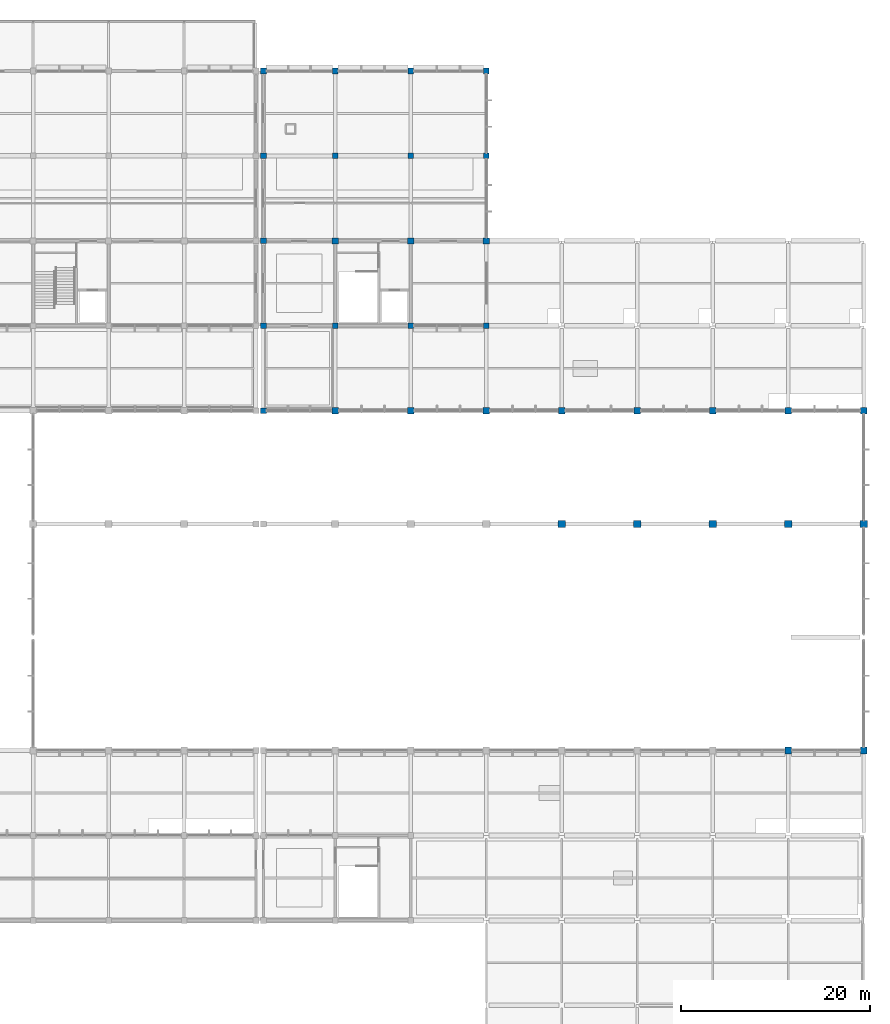
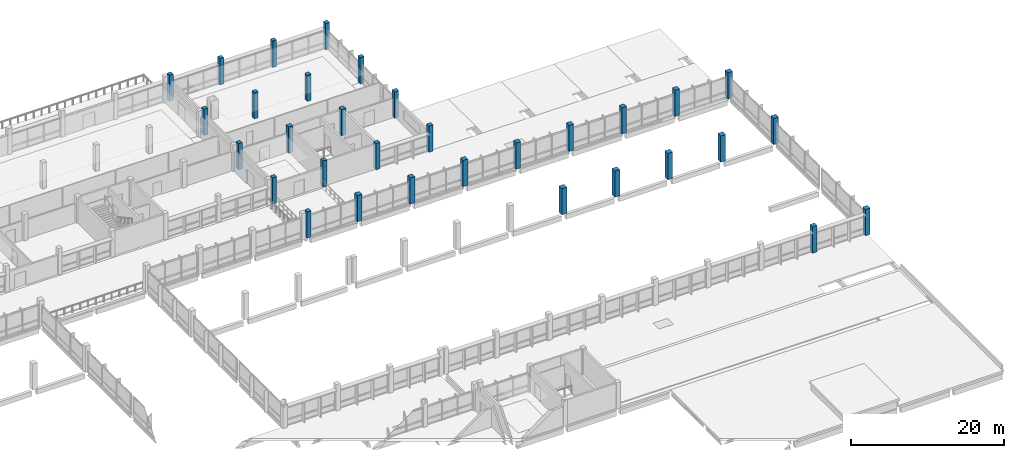
# One storey, part 2 of 70: 32 columns.
"""IFC4 building model written with IfcOpenShell, lengths in metres."""

from ifc_helpers import new_model, si_unit, direction, frame, origin, origin_2d, place, context, subcontext, project, spatial, rectangle, extrude, material, material_profile, profile_set, type_object, element, save


model = new_model("IFC4")

# Units and contexts
model_context = context("Model", 3, precision=1e-05, world=origin(), true_north=direction((0.0, 1.0)))
body_context = subcontext(model_context, "Body", "Model", "MODEL_VIEW")
ifc_project = project(units=[si_unit("LENGTHUNIT", "METRE"), si_unit("AREAUNIT", "SQUARE_METRE"), si_unit("VOLUMEUNIT", "CUBIC_METRE"), si_unit("PLANEANGLEUNIT", "RADIAN"), si_unit("MASSUNIT", "GRAM", prefix="KILO"), si_unit("THERMODYNAMICTEMPERATUREUNIT", "KELVIN"), si_unit("POWERUNIT", "WATT")], contexts=[model_context])

# Site, building, storey
site_placement = place(None, origin())
site = spatial("IfcSite", under=ifc_project, at=site_placement, CompositionType="ELEMENT")
building_placement = place(site_placement, origin())
building = spatial("IfcBuilding", under=site, at=building_placement, Name="Kronsvod Quay Wholesale Market", CompositionType="ELEMENT")
storey_placement = place(building_placement, frame((0.0, 0.0, 9.0)))
storey = spatial("IfcBuildingStorey", under=building, at=storey_placement, Name="L02", CompositionType="ELEMENT", Elevation=9.0)

# Columns
ifc_material_1 = material(Name="Precast concrete C40/50", Category="concrete")
ifc_material_profile_1 = material_profile(ifc_material_1, rectangle(XDim=0.60009765625, YDim=0.60009765625, at=origin_2d()), Name="PCC600x600")
ifc_profile_set_1 = profile_set([ifc_material_profile_1], Name="Precast concrete C40/50")
column_type_1 = type_object("IfcColumnType", Name="Col_PCC600x600", PredefinedType="COLUMN", material=ifc_profile_set_1)
for number, where, z_axis, x_axis, name in (
    (1, (128.39990234375, 90.0, 0.0), (0.0, 0.0, 1.0), (1.0, 0.0, 0.0), "COLG-L02-1284-900"),
    (2, (128.39990234375, 99.0, 0.0), (0.0, 0.0, 1.0), (1.0, 0.0, 0.0), "COLG-L02-1284-990"),
    (3, (128.39990234375, 108.0, 0.0), (0.0, 0.0, 1.0), (1.0, 0.0, 0.0), "COLG-L02-1284-1080"),
    (4, (128.39990234375, 117.0, 0.0), (0.0, 0.0, 1.0), (1.0, 0.0, 0.0), "COLG-L02-1284-1170"),
    (5, (128.39990234375, 126.0, 0.0), (0.0, 0.0, 1.0), (1.0, 0.0, 0.0), "COLG-L02-1284-1260"),
    (6, (136.0, 99.0, 0.0), (0.0, 0.0, 1.0), (1.0, 0.0, 0.0), "COLG-L02-1360-990"),
    (7, (136.0, 117.0, 0.0), (0.0, 0.0, 1.0), (1.0, 0.0, 0.0), "COLG-L02-1360-1170"),
    (8, (136.0, 126.0, 0.0), (0.0, 0.0, 1.0), (1.0, 0.0, 0.0), "COLG-L02-1360-1260"),
    (9, (144.0, 99.0, 0.0), (0.0, 0.0, 1.0), (1.0, 0.0, 0.0), "COLG-L02-1440-990"),
    (10, (144.0, 117.0, 0.0), (0.0, 0.0, 1.0), (1.0, 0.0, 0.0), "COLG-L02-1440-1170"),
    (11, (144.0, 126.0, 0.0), (0.0, 0.0, 1.0), (1.0, 0.0, 0.0), "COLG-L02-1440-1260"),
    (12, (152.0, 99.0, 0.0), (0.0, 0.0, 1.0), (1.0, 0.0, 0.0), "COLG-L02-1520-990"),
    (13, (152.0, 117.0, 0.0), (0.0, 0.0, 1.0), (1.0, 0.0, 0.0), "COLG-L02-1520-1170"),
    (14, (152.0, 126.0, 0.0), (0.0, 0.0, 1.0), (1.0, 0.0, 0.0), "COLG-L02-1520-1260"),
):
    element("IfcColumn", number, at=place(storey_placement, frame(where, z_axis=z_axis, x_axis=x_axis)), inside=storey, type_object=column_type_1, Name=name, PredefinedType="COLUMN", context=body_context, shape_type="SweptSolid", body=[
        extrude(rectangle(XDim=0.60009765625, YDim=0.60009765625, at=origin_2d()), origin(), (0.0, 0.0, 1.0), 4.199951171875),
    ])
ifc_material_2 = material(Name="Precast concrete C40/50", Category="concrete")
ifc_material_profile_2 = material_profile(ifc_material_2, rectangle(XDim=0.64990234375, YDim=0.64990234375, at=origin_2d()), Name="COL-08")
ifc_profile_set_2 = profile_set([ifc_material_profile_2], Name="Precast concrete C40/50")
column_type_2 = type_object("IfcColumnType", Name="Col_PCC650x650", PredefinedType="COLUMN", material=ifc_profile_set_2)
for number, where, z_axis, x_axis, name in (
    (15, (136.0, 108.0, 0.0), (0.0, 0.0, 1.0), (1.0, 0.0, 0.0), "COLG-L02-1360-1080"),
    (16, (144.0, 108.0, 0.0), (0.0, 0.0, 1.0), (1.0, 0.0, 0.0), "COLG-L02-1440-1080"),
    (17, (152.0, 108.0, 0.0), (0.0, 0.0, 1.0), (1.0, 0.0, 0.0), "COLG-L02-1520-1080"),
):
    element("IfcColumn", number, at=place(storey_placement, frame(where, z_axis=z_axis, x_axis=x_axis)), inside=storey, type_object=column_type_2, Name=name, PredefinedType="COLUMN", context=body_context, shape_type="SweptSolid", body=[
        extrude(rectangle(XDim=0.64990234375, YDim=0.64990234375, at=origin_2d()), origin(), (0.0, 0.0, 1.0), 4.199951171875),
    ])
ifc_material_3 = material(Name="Precast concrete C40/50", Category="concrete")
ifc_material_profile_3 = material_profile(ifc_material_3, rectangle(XDim=0.699951171875, YDim=0.699951171875, at=origin_2d()), Name="PCC700x700")
ifc_profile_set_3 = profile_set([ifc_material_profile_3], Name="Precast concrete C40/50")
column_type_3 = type_object("IfcColumnType", Name="Col_PCC700x700", PredefinedType="COLUMN", material=ifc_profile_set_3)
for number, where, z_axis, x_axis, name in (
    (18, (136.0, 90.0, 0.0), (0.0, 0.0, 1.0), (1.0, 0.0, 0.0), "COLG-L02-1360-900"),
    (19, (144.0, 90.0, 0.0), (0.0, 0.0, 1.0), (1.0, 0.0, 0.0), "COLG-L02-1440-900"),
    (20, (152.0, 90.0, 0.0), (0.0, 0.0, 1.0), (1.0, 0.0, 0.0), "COLG-L02-1520-900"),
    (21, (160.0, 90.0, 0.0), (0.0, 0.0, 1.0), (1.0, 0.0, 0.0), "COLG-L02-1600-900"),
    (22, (168.0, 90.0, 0.0), (0.0, 0.0, 1.0), (1.0, 0.0, 0.0), "COLG-L02-1680-900"),
    (23, (176.0, 90.0, 0.0), (0.0, 0.0, 1.0), (1.0, 0.0, 0.0), "COLG-L02-1760-900"),
    (24, (184.0, 54.0, 0.0), (0.0, 0.0, 1.0), (1.0, 0.0, 0.0), "COLG-L02-1840-540"),
    (25, (184.0, 90.0, 0.0), (0.0, 0.0, 1.0), (1.0, 0.0, 0.0), "COLG-L02-1840-900"),
    (26, (192.0, 54.0, 0.0), (0.0, 0.0, 1.0), (1.0, 0.0, 0.0), "COLG-L02-1920-540"),
    (27, (192.0, 90.0, 0.0), (0.0, 0.0, 1.0), (1.0, 0.0, 0.0), "COLG-L02-1920-900"),
):
    element("IfcColumn", number, at=place(storey_placement, frame(where, z_axis=z_axis, x_axis=x_axis)), inside=storey, type_object=column_type_3, Name=name, PredefinedType="COLUMN", context=body_context, shape_type="SweptSolid", body=[
        extrude(rectangle(XDim=0.699951171875, YDim=0.699951171875, at=origin_2d()), origin(), (0.0, 0.0, 1.0), 4.199951171875),
    ])
ifc_material_4 = material(Name="Precast concrete C40/50", Category="concrete")
ifc_material_profile_4 = material_profile(ifc_material_4, rectangle(XDim=0.75, YDim=0.75, at=origin_2d()), Name="COL-07")
ifc_profile_set_4 = profile_set([ifc_material_profile_4], Name="Precast concrete C40/50")
column_type_4 = type_object("IfcColumnType", Name="Col_PCC750x750", PredefinedType="COLUMN", material=ifc_profile_set_4)
for number, where, z_axis, x_axis, name in (
    (28, (160.0, 78.0, 0.0), (0.0, 0.0, 1.0), (1.0, 0.0, 0.0), "COLG-L02-1600-780"),
    (29, (168.0, 78.0, 0.0), (0.0, 0.0, 1.0), (1.0, 0.0, 0.0), "COLG-L02-1680-780"),
    (30, (176.0, 78.0, 0.0), (0.0, 0.0, 1.0), (1.0, 0.0, 0.0), "COLG-L02-1760-780"),
    (31, (184.0, 78.0, 0.0), (0.0, 0.0, 1.0), (1.0, 0.0, 0.0), "COLG-L02-1840-780"),
    (32, (192.0, 78.0, 0.0), (0.0, 0.0, 1.0), (1.0, 0.0, 0.0), "COLG-L02-1920-780"),
):
    element("IfcColumn", number, at=place(storey_placement, frame(where, z_axis=z_axis, x_axis=x_axis)), inside=storey, type_object=column_type_4, Name=name, PredefinedType="COLUMN", context=body_context, shape_type="SweptSolid", body=[
        extrude(rectangle(XDim=0.75, YDim=0.75, at=origin_2d()), origin(), (0.0, 0.0, 1.0), 4.199951171875),
    ])

save(model, "model.ifc")
